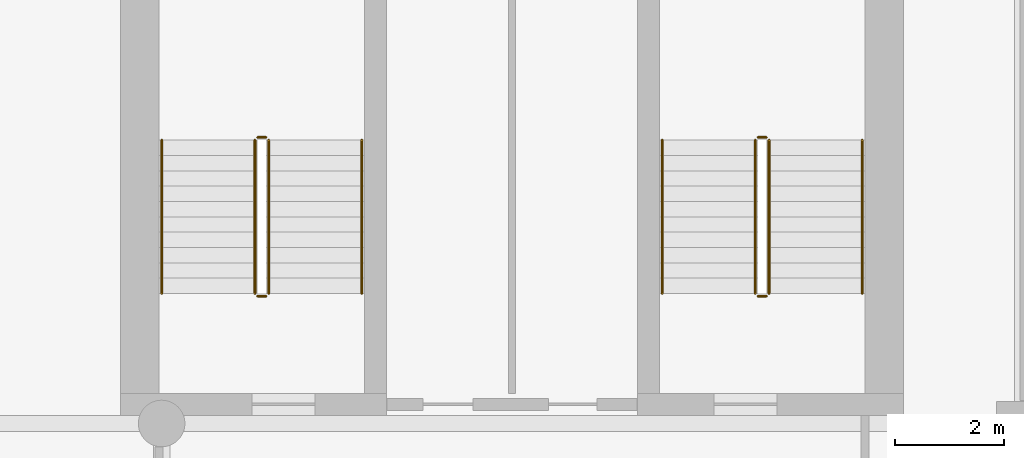
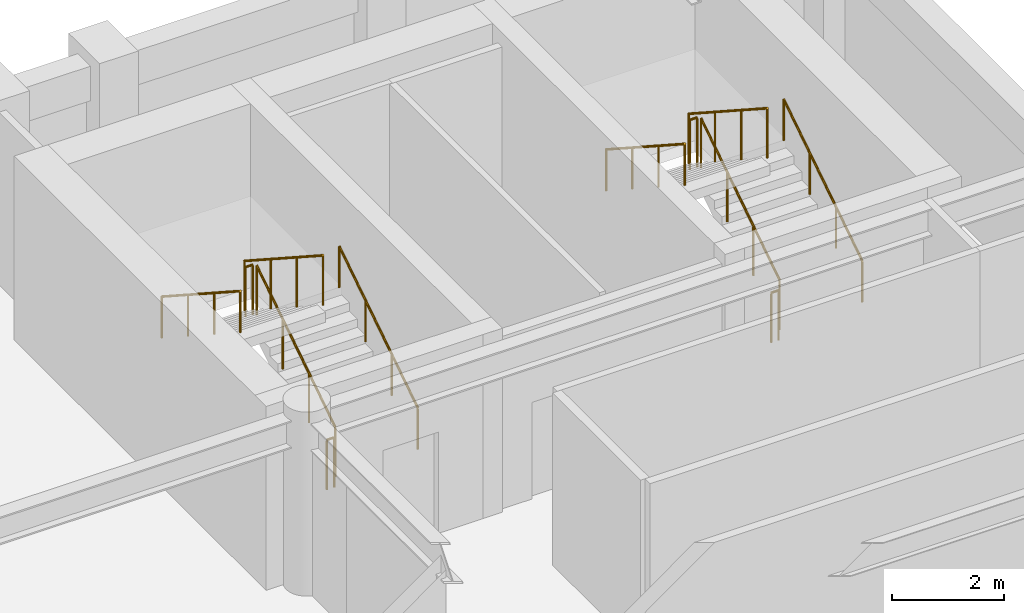
# One storey, part 10 of 10: 12 railings.
"""IFC4 building model written with IfcOpenShell, lengths in metres."""

from ifc_helpers import new_model, si_unit, direction, frame, origin, origin_2d, place, context, subcontext, project, spatial, circle, extrude, material, type_object, element, save


model = new_model("IFC4")

# Units and contexts
model_context = context("Model", 3, precision=1e-05, world=origin(), true_north=direction((0.0, 1.0)))
body_context = subcontext(model_context, "Body", "Model", "MODEL_VIEW")
ifc_project = project(units=[si_unit("LENGTHUNIT", "METRE"), si_unit("AREAUNIT", "SQUARE_METRE"), si_unit("VOLUMEUNIT", "CUBIC_METRE"), si_unit("PLANEANGLEUNIT", "RADIAN"), si_unit("MASSUNIT", "GRAM", prefix="KILO")], contexts=[model_context])

# Site, building, storey
site_placement = place(None, origin())
site = spatial("IfcSite", under=ifc_project, at=site_placement, CompositionType="ELEMENT")
building_placement = place(site_placement, origin())
building = spatial("IfcBuilding", under=site, at=building_placement, Name="Sulina Concourse Tower", CompositionType="ELEMENT")
storey_placement = place(building_placement, frame((0.0, 0.0, 210.60009765625)))
storey = spatial("IfcBuildingStorey", under=building, at=storey_placement, Name="L51", CompositionType="ELEMENT", Elevation=210.60009765625)

# Railings
ifc_material_1 = material(Name="Galvanised steel railing", Category="steel")
railing_type_1 = type_object("IfcRailingType", Name="Core Stair Steel Guardrail 1150mm", PredefinedType="GUARDRAIL", material=ifc_material_1)
railing_1_placement = place(storey_placement, frame((43.554931640625, 36.375, 0.181640625)))
element("IfcRailing", 1, at=railing_1_placement, inside=storey, type_object=railing_type_1, Name="L51 ST-3 stair guard 1", PredefinedType="GUARDRAIL", context=body_context, shape_type="SweptSolid", body=[
    extrude(circle(Radius=0.02392578125, at=origin_2d()), frame((0.0, 0.0, 1.076171875), z_axis=(0.0, 0.838672427954, 0.544636170843), x_axis=(-1.0, 0.0, 0.0)), (0.0, 0.0, 1.0), 3.338623046875),
    extrude(circle(Radius=0.02099609375, at=origin_2d()), origin(), (0.0, 0.0, 1.0), 1.052001953125),
    extrude(circle(Radius=0.02099609375, at=origin_2d()), frame((0.0, 0.933349609375, 0.606201171875)), (0.0, 0.0, 1.0), 1.052001953125),
    extrude(circle(Radius=0.02099609375, at=origin_2d()), frame((0.0, 1.86669921875, 1.212158203125)), (0.0, 0.0, 1.0), 1.052001953125),
    extrude(circle(Radius=0.02099609375, at=origin_2d()), frame((0.0, 2.800048828125, 1.818359375)), (0.0, 0.0, 1.0), 1.052001953125),
])
railing_2_placement = place(storey_placement, frame((43.5048828125, 39.22509765625, 2.0)))
element("IfcRailing", 2, at=railing_2_placement, inside=storey, type_object=railing_type_1, Name="L51 ST-3 stair guard 2", PredefinedType="GUARDRAIL", context=body_context, shape_type="SweptSolid", body=[
    extrude(circle(Radius=0.02392578125, at=origin_2d()), frame((0.0, 0.0, 1.076171875), z_axis=(-1.0, 0.0, 0.0), x_axis=(0.0, -1.0, 0.0)), (0.0, 0.0, 1.0), 0.14990234375),
    extrude(circle(Radius=0.02099609375, at=origin_2d()), origin(), (0.0, 0.0, 1.0), 1.052001953125),
    extrude(circle(Radius=0.02099609375, at=origin_2d()), frame((-0.14990234375, 0.0, 0.0)), (0.0, 0.0, 1.0), 1.052001953125),
])
railing_3_placement = place(storey_placement, frame((43.304931640625, 39.175048828125, 2.181640625)))
element("IfcRailing", 3, at=railing_3_placement, inside=storey, type_object=railing_type_1, Name="L51 ST-3 stair guard 3", PredefinedType="GUARDRAIL", context=body_context, shape_type="SweptSolid", body=[
    extrude(circle(Radius=0.02392578125, at=origin_2d()), frame((0.0, 0.0, 1.076171875), z_axis=(0.0, -0.838672427954, 0.544636170843), x_axis=(1.0, 0.0, 0.0)), (0.0, 0.0, 1.0), 3.338623046875),
    extrude(circle(Radius=0.02099609375, at=origin_2d()), origin(), (0.0, 0.0, 1.0), 1.052001953125),
    extrude(circle(Radius=0.02099609375, at=origin_2d()), frame((0.0, -0.933349609375, 0.606201171875)), (0.0, 0.0, 1.0), 1.052001953125),
    extrude(circle(Radius=0.02099609375, at=origin_2d()), frame((0.0, -1.86669921875, 1.212158203125)), (0.0, 0.0, 1.0), 1.052001953125),
    extrude(circle(Radius=0.02099609375, at=origin_2d()), frame((0.0, -2.800048828125, 1.818359375)), (0.0, 0.0, 1.0), 1.052001953125),
])
railing_4_placement = place(storey_placement, frame((43.5048828125, 36.324951171875, 0.0)))
element("IfcRailing", 4, at=railing_4_placement, inside=storey, type_object=railing_type_1, Name="L51 ST-3 stair guard 4", PredefinedType="GUARDRAIL", context=body_context, shape_type="SweptSolid", body=[
    extrude(circle(Radius=0.02392578125, at=origin_2d()), frame((0.0, 0.0, 1.076171875), z_axis=(-1.0, 0.0, 0.0), x_axis=(0.0, -1.0, 0.0)), (0.0, 0.0, 1.0), 0.14990234375),
    extrude(circle(Radius=0.02099609375, at=origin_2d()), origin(), (0.0, 0.0, 1.0), 1.052001953125),
    extrude(circle(Radius=0.02099609375, at=origin_2d()), frame((-0.14990234375, 0.0, 0.0)), (0.0, 0.0, 1.0), 1.052001953125),
])
railing_5_placement = place(storey_placement, frame((52.695068359375, 36.375, 0.181640625)))
element("IfcRailing", 5, at=railing_5_placement, inside=storey, type_object=railing_type_1, Name="L51 ST-4 stair guard 1", PredefinedType="GUARDRAIL", context=body_context, shape_type="SweptSolid", body=[
    extrude(circle(Radius=0.02392578125, at=origin_2d()), frame((0.0, 0.0, 1.076171875), z_axis=(0.0, 0.838672427954, 0.544636170843), x_axis=(-1.0, 0.0, 0.0)), (0.0, 0.0, 1.0), 3.338623046875),
    extrude(circle(Radius=0.02099609375, at=origin_2d()), origin(), (0.0, 0.0, 1.0), 1.052001953125),
    extrude(circle(Radius=0.02099609375, at=origin_2d()), frame((0.0, 0.933349609375, 0.606201171875)), (0.0, 0.0, 1.0), 1.052001953125),
    extrude(circle(Radius=0.02099609375, at=origin_2d()), frame((0.0, 1.86669921875, 1.212158203125)), (0.0, 0.0, 1.0), 1.052001953125),
    extrude(circle(Radius=0.02099609375, at=origin_2d()), frame((0.0, 2.800048828125, 1.818359375)), (0.0, 0.0, 1.0), 1.052001953125),
])
railing_6_placement = place(storey_placement, frame((52.64501953125, 39.22509765625, 2.0)))
element("IfcRailing", 6, at=railing_6_placement, inside=storey, type_object=railing_type_1, Name="L51 ST-4 stair guard 2", PredefinedType="GUARDRAIL", context=body_context, shape_type="SweptSolid", body=[
    extrude(circle(Radius=0.02392578125, at=origin_2d()), frame((0.0, 0.0, 1.076171875), z_axis=(-1.0, 0.0, 0.0), x_axis=(0.0, -1.0, 0.0)), (0.0, 0.0, 1.0), 0.14990234375),
    extrude(circle(Radius=0.02099609375, at=origin_2d()), origin(), (0.0, 0.0, 1.0), 1.052001953125),
    extrude(circle(Radius=0.02099609375, at=origin_2d()), frame((-0.14990234375, 0.0, 0.0)), (0.0, 0.0, 1.0), 1.052001953125),
])
railing_7_placement = place(storey_placement, frame((52.445068359375, 39.175048828125, 2.181640625)))
element("IfcRailing", 7, at=railing_7_placement, inside=storey, type_object=railing_type_1, Name="L51 ST-4 stair guard 3", PredefinedType="GUARDRAIL", context=body_context, shape_type="SweptSolid", body=[
    extrude(circle(Radius=0.02392578125, at=origin_2d()), frame((0.0, 0.0, 1.076171875), z_axis=(0.0, -0.838672427954, 0.544636170843), x_axis=(1.0, 0.0, 0.0)), (0.0, 0.0, 1.0), 3.338623046875),
    extrude(circle(Radius=0.02099609375, at=origin_2d()), origin(), (0.0, 0.0, 1.0), 1.052001953125),
    extrude(circle(Radius=0.02099609375, at=origin_2d()), frame((0.0, -0.933349609375, 0.606201171875)), (0.0, 0.0, 1.0), 1.052001953125),
    extrude(circle(Radius=0.02099609375, at=origin_2d()), frame((0.0, -1.86669921875, 1.212158203125)), (0.0, 0.0, 1.0), 1.052001953125),
    extrude(circle(Radius=0.02099609375, at=origin_2d()), frame((0.0, -2.800048828125, 1.818359375)), (0.0, 0.0, 1.0), 1.052001953125),
])
railing_8_placement = place(storey_placement, frame((52.64501953125, 36.324951171875, 0.0)))
element("IfcRailing", 8, at=railing_8_placement, inside=storey, type_object=railing_type_1, Name="L51 ST-4 stair guard 4", PredefinedType="GUARDRAIL", context=body_context, shape_type="SweptSolid", body=[
    extrude(circle(Radius=0.02392578125, at=origin_2d()), frame((0.0, 0.0, 1.076171875), z_axis=(-1.0, 0.0, 0.0), x_axis=(0.0, -1.0, 0.0)), (0.0, 0.0, 1.0), 0.14990234375),
    extrude(circle(Radius=0.02099609375, at=origin_2d()), origin(), (0.0, 0.0, 1.0), 1.052001953125),
    extrude(circle(Radius=0.02099609375, at=origin_2d()), frame((-0.14990234375, 0.0, 0.0)), (0.0, 0.0, 1.0), 1.052001953125),
])
ifc_material_2 = material(Name="Galvanised steel railing", Category="steel")
railing_type_2 = type_object("IfcRailingType", Name="Stair Wall Steel Handrail 920mm", PredefinedType="HANDRAIL", material=ifc_material_2)
railing_9_placement = place(storey_placement, frame((45.2548828125, 36.375, 0.181640625)))
element("IfcRailing", 9, at=railing_9_placement, inside=storey, type_object=railing_type_2, Name="L51 ST-3 stair handrail 1", PredefinedType="HANDRAIL", context=body_context, shape_type="SweptSolid", body=[
    extrude(circle(Radius=0.02392578125, at=origin_2d()), frame((0.0, 0.0, 0.89599609375), z_axis=(0.0, 0.838672427954, 0.544636170843), x_axis=(-1.0, 0.0, 0.0)), (0.0, 0.0, 1.0), 3.338623046875),
    extrude(circle(Radius=0.02099609375, at=origin_2d()), origin(), (0.0, 0.0, 1.0), 0.871826171875),
    extrude(circle(Radius=0.02099609375, at=origin_2d()), frame((0.0, 0.933349609375, 0.606201171875)), (0.0, 0.0, 1.0), 0.871826171875),
    extrude(circle(Radius=0.02099609375, at=origin_2d()), frame((0.0, 1.86669921875, 1.212158203125)), (0.0, 0.0, 1.0), 0.871826171875),
    extrude(circle(Radius=0.02099609375, at=origin_2d()), frame((0.0, 2.800048828125, 1.818359375)), (0.0, 0.0, 1.0), 0.871826171875),
])
railing_10_placement = place(storey_placement, frame((41.60498046875, 39.175048828125, 2.181640625)))
element("IfcRailing", 10, at=railing_10_placement, inside=storey, type_object=railing_type_2, Name="L51 ST-3 stair handrail 2", PredefinedType="HANDRAIL", context=body_context, shape_type="SweptSolid", body=[
    extrude(circle(Radius=0.02392578125, at=origin_2d()), frame((0.0, 0.0, 0.89599609375), z_axis=(0.0, -0.838672427954, 0.544636170843), x_axis=(1.0, 0.0, 0.0)), (0.0, 0.0, 1.0), 3.338623046875),
    extrude(circle(Radius=0.02099609375, at=origin_2d()), origin(), (0.0, 0.0, 1.0), 0.871826171875),
    extrude(circle(Radius=0.02099609375, at=origin_2d()), frame((0.0, -0.933349609375, 0.606201171875)), (0.0, 0.0, 1.0), 0.871826171875),
    extrude(circle(Radius=0.02099609375, at=origin_2d()), frame((0.0, -1.86669921875, 1.212158203125)), (0.0, 0.0, 1.0), 0.871826171875),
    extrude(circle(Radius=0.02099609375, at=origin_2d()), frame((0.0, -2.800048828125, 1.818359375)), (0.0, 0.0, 1.0), 0.871826171875),
])
railing_11_placement = place(storey_placement, frame((54.39501953125, 36.375, 0.181640625)))
element("IfcRailing", 11, at=railing_11_placement, inside=storey, type_object=railing_type_2, Name="L51 ST-4 stair handrail 1", PredefinedType="HANDRAIL", context=body_context, shape_type="SweptSolid", body=[
    extrude(circle(Radius=0.02392578125, at=origin_2d()), frame((0.0, 0.0, 0.89599609375), z_axis=(0.0, 0.838672427954, 0.544636170843), x_axis=(-1.0, 0.0, 0.0)), (0.0, 0.0, 1.0), 3.338623046875),
    extrude(circle(Radius=0.02099609375, at=origin_2d()), origin(), (0.0, 0.0, 1.0), 0.871826171875),
    extrude(circle(Radius=0.02099609375, at=origin_2d()), frame((0.0, 0.933349609375, 0.606201171875)), (0.0, 0.0, 1.0), 0.871826171875),
    extrude(circle(Radius=0.02099609375, at=origin_2d()), frame((0.0, 1.86669921875, 1.212158203125)), (0.0, 0.0, 1.0), 0.871826171875),
    extrude(circle(Radius=0.02099609375, at=origin_2d()), frame((0.0, 2.800048828125, 1.818359375)), (0.0, 0.0, 1.0), 0.871826171875),
])
railing_12_placement = place(storey_placement, frame((50.7451171875, 39.175048828125, 2.181640625)))
element("IfcRailing", 12, at=railing_12_placement, inside=storey, type_object=railing_type_2, Name="L51 ST-4 stair handrail 2", PredefinedType="HANDRAIL", context=body_context, shape_type="SweptSolid", body=[
    extrude(circle(Radius=0.02392578125, at=origin_2d()), frame((0.0, 0.0, 0.89599609375), z_axis=(0.0, -0.838672427954, 0.544636170843), x_axis=(1.0, 0.0, 0.0)), (0.0, 0.0, 1.0), 3.338623046875),
    extrude(circle(Radius=0.02099609375, at=origin_2d()), origin(), (0.0, 0.0, 1.0), 0.871826171875),
    extrude(circle(Radius=0.02099609375, at=origin_2d()), frame((0.0, -0.933349609375, 0.606201171875)), (0.0, 0.0, 1.0), 0.871826171875),
    extrude(circle(Radius=0.02099609375, at=origin_2d()), frame((0.0, -1.86669921875, 1.212158203125)), (0.0, 0.0, 1.0), 0.871826171875),
    extrude(circle(Radius=0.02099609375, at=origin_2d()), frame((0.0, -2.800048828125, 1.818359375)), (0.0, 0.0, 1.0), 0.871826171875),
])

save(model, "model.ifc")
